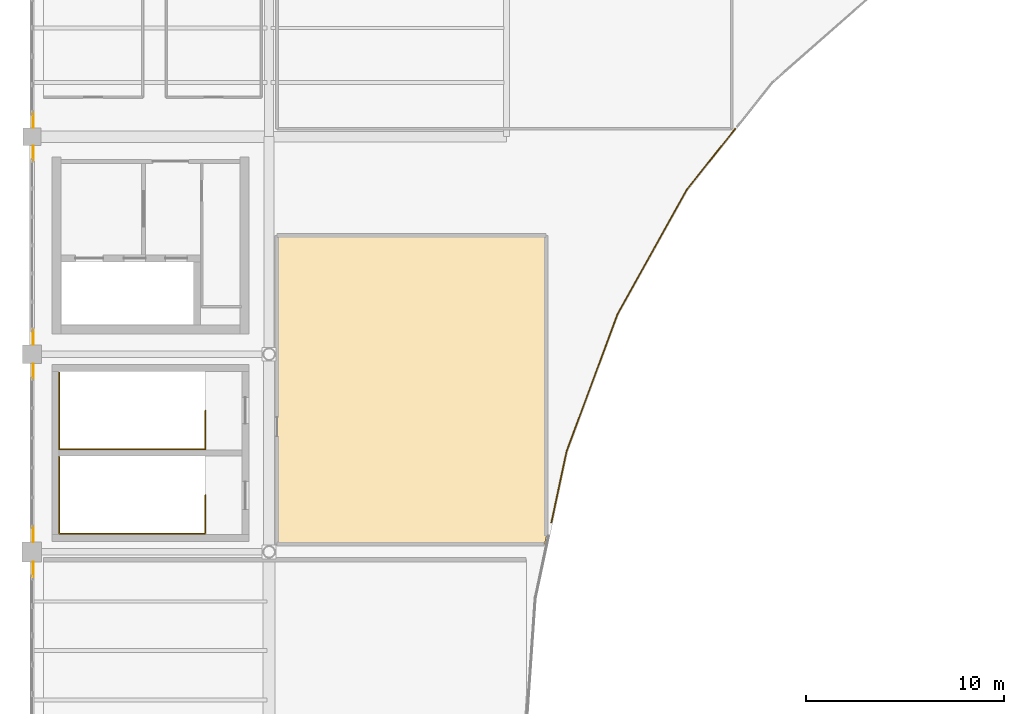
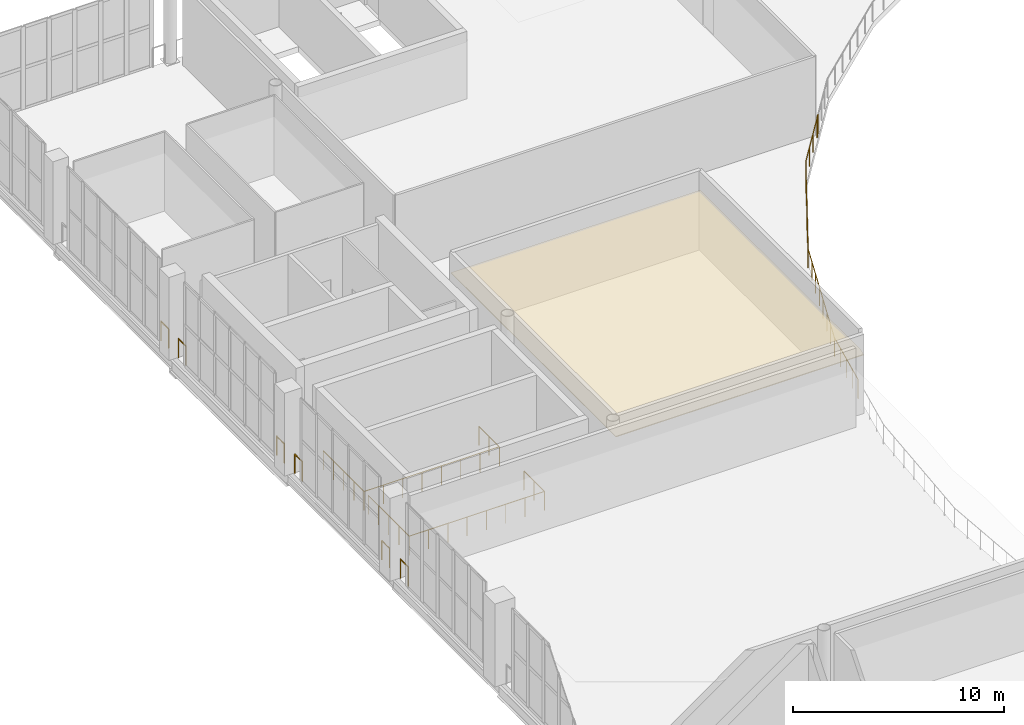
# One storey, part 46 of 49: 10 railings, 1 covering.
"""IFC4 building model written with IfcOpenShell, lengths in metres."""

from ifc_helpers import new_model, si_unit, direction, frame, origin, origin_2d, place, context, subcontext, project, spatial, polyline, circle, outline, extrude, material, layer, layer_set, type_object, element, save


model = new_model("IFC4")

# Units and contexts
model_context = context("Model", 3, precision=1e-05, world=origin(), true_north=direction((0.0, 1.0)))
body_context = subcontext(model_context, "Body", "Model", "MODEL_VIEW")
ifc_project = project(units=[si_unit("LENGTHUNIT", "METRE"), si_unit("AREAUNIT", "SQUARE_METRE"), si_unit("VOLUMEUNIT", "CUBIC_METRE"), si_unit("PLANEANGLEUNIT", "RADIAN"), si_unit("MASSUNIT", "GRAM", prefix="KILO")], contexts=[model_context])

# Site, building, storey
site_placement = place(None, origin())
site = spatial("IfcSite", under=ifc_project, at=site_placement, CompositionType="ELEMENT")
building_placement = place(site_placement, origin())
building = spatial("IfcBuilding", under=site, at=building_placement, Name="Brinegate Civic Arena", CompositionType="ELEMENT")
storey_placement = place(building_placement, frame((0.0, 0.0, 24.60009765625)))
storey = spatial("IfcBuildingStorey", under=building, at=storey_placement, Name="L05", CompositionType="ELEMENT", Elevation=24.60009765625)

# Covering
ifc_material_1 = material(Name="Acoustic perforated aluminium ceiling", Category="aluminium")
ifc_layer = layer(ifc_material_1, 0.044921875, Name="Acoustic perforated aluminium ceiling")
ifc_layer_set = layer_set([ifc_layer], Name="Acoustic perforated aluminium ceiling")
covering_type = type_object("IfcCoveringType", Name="CEILING-BAFFLE-45", PredefinedType="CEILING", material=ifc_layer_set)
covering_placement = place(storey_placement, frame((0.0, 0.0, 3.304931640625)))
element("IfcCovering", 1, at=covering_placement, inside=storey, type_object=covering_type, Name="Acoustic Ceiling L05-002", PredefinedType="CEILING", context=body_context, shape_type="SweptSolid", body=[
    extrude(outline(polyline([(60.3798828125, 88.00390625), (60.381103515625, 88.006103515625), (60.382080078125, 88.008056640625), (60.382080078125, 88.009033203125), (60.383056640625, 88.010986328125), (60.385009765625, 88.012939453125), (60.385986328125, 88.013916015625), (60.386962890625, 88.014892578125), (60.388916015625, 88.01708984375), (60.39111328125, 88.01806640625), (60.39208984375, 88.01806640625), (60.39404296875, 88.01904296875), (60.39599609375, 88.02001953125), (60.39794921875, 88.02001953125), (60.39990234375, 88.02001953125), (74.0, 88.02001953125), (74.001953125, 88.02001953125), (74.00390625, 88.02001953125), (74.006103515625, 88.01904296875), (74.008056640625, 88.01806640625), (74.009033203125, 88.01806640625), (74.010986328125, 88.01708984375), (74.012939453125, 88.014892578125), (74.013916015625, 88.013916015625), (74.014892578125, 88.012939453125), (74.01708984375, 88.010986328125), (74.01806640625, 88.009033203125), (74.01806640625, 88.008056640625), (74.01904296875, 88.006103515625), (74.02001953125, 88.00390625), (74.02001953125, 88.001953125), (74.02001953125, 88.0), (74.02001953125, 72.7958984375), (74.02001953125, 72.7939453125), (74.02001953125, 72.7919921875), (73.93603515625, 72.39599609375), (73.93505859375, 72.39404296875), (73.93408203125, 72.39208984375), (73.93408203125, 72.389892578125), (73.93310546875, 72.388916015625), (73.930908203125, 72.386962890625), (73.929931640625, 72.385986328125), (73.928955078125, 72.384033203125), (73.927001953125, 72.383056640625), (73.925048828125, 72.382080078125), (73.924072265625, 72.381103515625), (73.922119140625, 72.381103515625), (73.919921875, 72.3798828125), (73.91796875, 72.3798828125), (73.916015625, 72.3798828125), (60.39990234375, 72.3798828125), (60.39794921875, 72.3798828125), (60.39599609375, 72.3798828125), (60.39404296875, 72.381103515625), (60.39208984375, 72.382080078125), (60.39111328125, 72.382080078125), (60.388916015625, 72.383056640625), (60.386962890625, 72.385009765625), (60.385986328125, 72.385986328125), (60.385009765625, 72.386962890625), (60.383056640625, 72.388916015625), (60.382080078125, 72.39111328125), (60.382080078125, 72.39208984375), (60.381103515625, 72.39404296875), (60.3798828125, 72.39599609375), (60.3798828125, 72.39794921875), (60.3798828125, 72.39990234375), (60.3798828125, 88.0), (60.3798828125, 88.001953125), (60.3798828125, 88.00390625)])), origin(), (0.0, 0.0, 1.0), 0.044921875),
])

# Railings
ifc_material_2 = material(Name="Architectural stainless steel balustrade", Category="steel")
railing_type_1 = type_object("IfcRailingType", Name="RAIL-STAIR-GUARD-1100", PredefinedType="GUARDRAIL", material=ifc_material_2)
railing_1_placement = place(storey_placement, frame((56.780029296875, 74.864990234375, 0.0)))
element("IfcRailing", 2, at=railing_1_placement, inside=storey, type_object=railing_type_1, Name="Top Stairwell Edge Guard ST-07A L05", PredefinedType="GUARDRAIL", context=body_context, shape_type="SweptSolid", body=[
    extrude(circle(Radius=0.02392578125, at=origin_2d()), frame((0.0, -0.00146484375, 1.09619140625), z_axis=(0.0, -1.0, 0.0), x_axis=(1.0, 0.0, 0.0)), (0.0, 0.0, 1.0), 1.93701171875),
    extrude(circle(Radius=0.02392578125, at=origin_2d()), frame((-0.00146484375, -1.93994140625, 1.09619140625), z_axis=(-1.0, 0.0, 0.0), x_axis=(0.0, -1.0, 0.0)), (0.0, 0.0, 1.0), 7.397216796875),
    extrude(circle(Radius=0.02392578125, at=origin_2d()), frame((-7.400146484375, -1.9384765625, 1.09619140625), z_axis=(0.0, 1.0, 0.0), x_axis=(-1.0, 0.0, 0.0)), (0.0, 0.0, 1.0), 3.876953125),
    extrude(circle(Radius=0.02099609375, at=origin_2d()), origin(), (0.0, 0.0, 1.0), 1.070068359375),
    extrude(circle(Radius=0.02099609375, at=origin_2d()), frame((0.0, -0.969970703125, 0.0)), (0.0, 0.0, 1.0), 1.070068359375),
    extrude(circle(Radius=0.02099609375, at=origin_2d()), frame((0.0, -1.93994140625, 0.0)), (0.0, 0.0, 1.0), 1.070068359375),
    extrude(circle(Radius=0.02099609375, at=origin_2d()), frame((-1.05712890625, -1.93994140625, 0.0)), (0.0, 0.0, 1.0), 1.070068359375),
    extrude(circle(Radius=0.02099609375, at=origin_2d()), frame((-2.1142578125, -1.93994140625, 0.0)), (0.0, 0.0, 1.0), 1.070068359375),
    extrude(circle(Radius=0.02099609375, at=origin_2d()), frame((-3.17138671875, -1.93994140625, 0.0)), (0.0, 0.0, 1.0), 1.070068359375),
    extrude(circle(Radius=0.02099609375, at=origin_2d()), frame((-4.228759765625, -1.93994140625, 0.0)), (0.0, 0.0, 1.0), 1.070068359375),
    extrude(circle(Radius=0.02099609375, at=origin_2d()), frame((-5.285888671875, -1.93994140625, 0.0)), (0.0, 0.0, 1.0), 1.070068359375),
    extrude(circle(Radius=0.02099609375, at=origin_2d()), frame((-6.343017578125, -1.93994140625, 0.0)), (0.0, 0.0, 1.0), 1.070068359375),
    extrude(circle(Radius=0.02099609375, at=origin_2d()), frame((-7.400146484375, -1.93994140625, 0.0)), (0.0, 0.0, 1.0), 1.070068359375),
    extrude(circle(Radius=0.02099609375, at=origin_2d()), frame((-7.400146484375, -0.969970703125, 0.0)), (0.0, 0.0, 1.0), 1.070068359375),
    extrude(circle(Radius=0.02099609375, at=origin_2d()), frame((-7.400146484375, 0.0, 0.0)), (0.0, 0.0, 1.0), 1.070068359375),
    extrude(circle(Radius=0.02099609375, at=origin_2d()), frame((-7.400146484375, 0.969970703125, 0.0)), (0.0, 0.0, 1.0), 1.070068359375),
    extrude(circle(Radius=0.02099609375, at=origin_2d()), frame((-7.400146484375, 1.93994140625, 0.0)), (0.0, 0.0, 1.0), 1.070068359375),
])
railing_2_placement = place(storey_placement, frame((56.780029296875, 79.135009765625, 0.0)))
element("IfcRailing", 3, at=railing_2_placement, inside=storey, type_object=railing_type_1, Name="Top Stairwell Edge Guard ST-07B L05", PredefinedType="GUARDRAIL", context=body_context, shape_type="SweptSolid", body=[
    extrude(circle(Radius=0.02392578125, at=origin_2d()), frame((0.0, -0.00146484375, 1.09619140625), z_axis=(0.0, -1.0, 0.0), x_axis=(1.0, 0.0, 0.0)), (0.0, 0.0, 1.0), 1.93701171875),
    extrude(circle(Radius=0.02392578125, at=origin_2d()), frame((-0.00146484375, -1.93994140625, 1.09619140625), z_axis=(-1.0, 0.0, 0.0), x_axis=(0.0, -1.0, 0.0)), (0.0, 0.0, 1.0), 7.397216796875),
    extrude(circle(Radius=0.02392578125, at=origin_2d()), frame((-7.400146484375, -1.9384765625, 1.09619140625), z_axis=(0.0, 1.0, 0.0), x_axis=(-1.0, 0.0, 0.0)), (0.0, 0.0, 1.0), 3.876953125),
    extrude(circle(Radius=0.02099609375, at=origin_2d()), origin(), (0.0, 0.0, 1.0), 1.070068359375),
    extrude(circle(Radius=0.02099609375, at=origin_2d()), frame((0.0, -0.969970703125, 0.0)), (0.0, 0.0, 1.0), 1.070068359375),
    extrude(circle(Radius=0.02099609375, at=origin_2d()), frame((0.0, -1.93994140625, 0.0)), (0.0, 0.0, 1.0), 1.070068359375),
    extrude(circle(Radius=0.02099609375, at=origin_2d()), frame((-1.05712890625, -1.93994140625, 0.0)), (0.0, 0.0, 1.0), 1.070068359375),
    extrude(circle(Radius=0.02099609375, at=origin_2d()), frame((-2.1142578125, -1.93994140625, 0.0)), (0.0, 0.0, 1.0), 1.070068359375),
    extrude(circle(Radius=0.02099609375, at=origin_2d()), frame((-3.17138671875, -1.93994140625, 0.0)), (0.0, 0.0, 1.0), 1.070068359375),
    extrude(circle(Radius=0.02099609375, at=origin_2d()), frame((-4.228759765625, -1.93994140625, 0.0)), (0.0, 0.0, 1.0), 1.070068359375),
    extrude(circle(Radius=0.02099609375, at=origin_2d()), frame((-5.285888671875, -1.93994140625, 0.0)), (0.0, 0.0, 1.0), 1.070068359375),
    extrude(circle(Radius=0.02099609375, at=origin_2d()), frame((-6.343017578125, -1.93994140625, 0.0)), (0.0, 0.0, 1.0), 1.070068359375),
    extrude(circle(Radius=0.02099609375, at=origin_2d()), frame((-7.400146484375, -1.93994140625, 0.0)), (0.0, 0.0, 1.0), 1.070068359375),
    extrude(circle(Radius=0.02099609375, at=origin_2d()), frame((-7.400146484375, -0.969970703125, 0.0)), (0.0, 0.0, 1.0), 1.070068359375),
    extrude(circle(Radius=0.02099609375, at=origin_2d()), frame((-7.400146484375, 0.0, 0.0)), (0.0, 0.0, 1.0), 1.070068359375),
    extrude(circle(Radius=0.02099609375, at=origin_2d()), frame((-7.400146484375, 0.969970703125, 0.0)), (0.0, 0.0, 1.0), 1.070068359375),
    extrude(circle(Radius=0.02099609375, at=origin_2d()), frame((-7.400146484375, 1.93994140625, 0.0)), (0.0, 0.0, 1.0), 1.070068359375),
])
railing_type_2 = type_object("IfcRailingType", Name="RAIL-VOID-BALUSTRADE-1120", PredefinedType="BALUSTRADE", material=ifc_material_2)
for number, where, name in (
    (4, (48.070068359375, 70.742919921875, 0.0), "Deck Edge Balustrade L05-404"),
    (5, (48.070068359375, 72.52001953125, 0.0), "Deck Edge Balustrade L05-405"),
):
    element("IfcRailing", number, at=place(storey_placement, frame(where)), inside=storey, type_object=railing_type_2, Name=name, PredefinedType="BALUSTRADE", context=body_context, shape_type="SweptSolid", body=[
        extrude(circle(Radius=0.02392578125, at=origin_2d()), frame((0.0, 0.00146484375, 1.09619140625), z_axis=(0.0, 1.0, 0.0), x_axis=(-1.0, 0.0, 0.0)), (0.0, 0.0, 1.0), 0.734130859375),
        extrude(circle(Radius=0.02099609375, at=origin_2d()), origin(), (0.0, 0.0, 1.0), 1.070068359375),
        extrude(circle(Radius=0.02099609375, at=origin_2d()), frame((0.0, 0.737060546875, 0.0)), (0.0, 0.0, 1.0), 1.070068359375),
    ])
for number, where, name in (
    (6, (48.070068359375, 80.778076171875, 0.0), "Deck Edge Balustrade L05-406"),
    (7, (48.070068359375, 82.4951171875, 0.0), "Deck Edge Balustrade L05-407"),
):
    element("IfcRailing", number, at=place(storey_placement, frame(where)), inside=storey, type_object=railing_type_2, Name=name, PredefinedType="BALUSTRADE", context=body_context, shape_type="SweptSolid", body=[
        extrude(circle(Radius=0.02392578125, at=origin_2d()), frame((0.0, 0.00146484375, 1.09619140625), z_axis=(0.0, 1.0, 0.0), x_axis=(-1.0, 0.0, 0.0)), (0.0, 0.0, 1.0), 0.723876953125),
        extrude(circle(Radius=0.02099609375, at=origin_2d()), origin(), (0.0, 0.0, 1.0), 1.070068359375),
        extrude(circle(Radius=0.02099609375, at=origin_2d()), frame((0.0, 0.726806640625, 0.0)), (0.0, 0.0, 1.0), 1.070068359375),
    ])
for number, where, name in (
    (8, (48.070068359375, 91.81396484375, 0.0), "Deck Edge Balustrade L05-408"),
    (9, (48.070068359375, 93.469970703125, 0.0), "Deck Edge Balustrade L05-409"),
):
    element("IfcRailing", number, at=place(storey_placement, frame(where)), inside=storey, type_object=railing_type_2, Name=name, PredefinedType="BALUSTRADE", context=body_context, shape_type="SweptSolid", body=[
        extrude(circle(Radius=0.02392578125, at=origin_2d()), frame((0.0, 0.00146484375, 1.09619140625), z_axis=(0.0, 1.0, 0.0), x_axis=(-1.0, 0.0, 0.0)), (0.0, 0.0, 1.0), 0.713134765625),
        extrude(circle(Radius=0.02099609375, at=origin_2d()), origin(), (0.0, 0.0, 1.0), 1.070068359375),
        extrude(circle(Radius=0.02099609375, at=origin_2d()), frame((0.0, 0.716064453125, 0.0)), (0.0, 0.0, 1.0), 1.070068359375),
    ])
railing_3_placement = place(storey_placement, frame((83.577880859375, 93.39990234375, 0.0)))
element("IfcRailing", 10, at=railing_3_placement, inside=storey, type_object=railing_type_2, Name="Deck Edge Balustrade L05-429", PredefinedType="BALUSTRADE", context=body_context, shape_type="SweptSolid", body=[
    extrude(circle(Radius=0.02392578125, at=origin_2d()), frame((-0.0009765625, -0.001220703125, 1.09619140625), z_axis=(-0.622297777056, -0.782780605707, 0.0), x_axis=(0.782780605707, -0.622297777056, 0.0)), (0.0, 0.0, 1.0), 0.282958984375),
    extrude(circle(Radius=0.02099609375, at=origin_2d()), origin(), (0.0, 0.0, 1.0), 1.070068359375),
    extrude(circle(Radius=0.02099609375, at=origin_2d()), frame((-0.177978515625, -0.223876953125, 0.0)), (0.0, 0.0, 1.0), 1.070068359375),
])
railing_4_placement = place(storey_placement, frame((83.35498046875, 93.1201171875, 0.0)))
element("IfcRailing", 11, at=railing_4_placement, inside=storey, type_object=railing_type_2, Name="Deck Edge Balustrade L05-430", PredefinedType="BALUSTRADE", context=body_context, shape_type="SweptSolid", body=[
    extrude(circle(Radius=0.02392578125, at=origin_2d()), frame((-0.0009765625, -0.001220703125, 1.09619140625), z_axis=(-0.622532135045, -0.782594237671, 0.0), x_axis=(0.782594237671, -0.622532135045, 0.0)), (0.0, 0.0, 1.0), 3.566162109375),
    extrude(circle(Radius=0.02392578125, at=origin_2d()), frame((-2.22265625, -2.79443359375, 1.09619140625), z_axis=(-0.486600914244, -0.873624375952, 0.0), x_axis=(0.873624375952, -0.486600914244, 0.0)), (0.0, 0.0, 1.0), 7.2001953125),
    extrude(circle(Radius=0.02392578125, at=origin_2d()), frame((-5.7275390625, -9.087646484375, 1.09619140625), z_axis=(-0.347892602198, -0.937534392615, 0.0), x_axis=(0.937534392615, -0.347892602198, 0.0)), (0.0, 0.0, 1.0), 7.421630859375),
    extrude(circle(Radius=0.02392578125, at=origin_2d()), frame((-8.310302734375, -16.048583984375, 1.09619140625), z_axis=(-0.208556124678, -0.97801040018, 0.0), x_axis=(0.97801040018, -0.208556124678, 0.0)), (0.0, 0.0, 1.0), 3.66455078125),
    extrude(circle(Radius=0.02099609375, at=origin_2d()), origin(), (0.0, 0.0, 1.0), 1.070068359375),
    extrude(circle(Radius=0.02099609375, at=origin_2d()), frame((-0.74072265625, -0.93115234375, 0.0)), (0.0, 0.0, 1.0), 1.070068359375),
    extrude(circle(Radius=0.02099609375, at=origin_2d()), frame((-1.481201171875, -1.862060546875, 0.0)), (0.0, 0.0, 1.0), 1.070068359375),
    extrude(circle(Radius=0.02099609375, at=origin_2d()), frame((-2.221923828125, -2.793212890625, 0.0)), (0.0, 0.0, 1.0), 1.070068359375),
    extrude(circle(Radius=0.02099609375, at=origin_2d()), frame((-2.72265625, -3.692138671875, 0.0)), (0.0, 0.0, 1.0), 1.070068359375),
    extrude(circle(Radius=0.02099609375, at=origin_2d()), frame((-3.223388671875, -4.59130859375, 0.0)), (0.0, 0.0, 1.0), 1.070068359375),
    extrude(circle(Radius=0.02099609375, at=origin_2d()), frame((-3.72412109375, -5.490234375, 0.0)), (0.0, 0.0, 1.0), 1.070068359375),
    extrude(circle(Radius=0.02099609375, at=origin_2d()), frame((-4.224853515625, -6.38916015625, 0.0)), (0.0, 0.0, 1.0), 1.070068359375),
    extrude(circle(Radius=0.02099609375, at=origin_2d()), frame((-4.7255859375, -7.2880859375, 0.0)), (0.0, 0.0, 1.0), 1.070068359375),
    extrude(circle(Radius=0.02099609375, at=origin_2d()), frame((-5.226318359375, -8.187255859375, 0.0)), (0.0, 0.0, 1.0), 1.070068359375),
    extrude(circle(Radius=0.02099609375, at=origin_2d()), frame((-5.72705078125, -9.086181640625, 0.0)), (0.0, 0.0, 1.0), 1.070068359375),
    extrude(circle(Radius=0.02099609375, at=origin_2d()), frame((-6.095947265625, -10.08056640625, 0.0)), (0.0, 0.0, 1.0), 1.070068359375),
    extrude(circle(Radius=0.02099609375, at=origin_2d()), frame((-6.465087890625, -11.074951171875, 0.0)), (0.0, 0.0, 1.0), 1.070068359375),
    extrude(circle(Radius=0.02099609375, at=origin_2d()), frame((-6.833984375, -12.0693359375, 0.0)), (0.0, 0.0, 1.0), 1.070068359375),
    extrude(circle(Radius=0.02099609375, at=origin_2d()), frame((-7.203125, -13.06396484375, 0.0)), (0.0, 0.0, 1.0), 1.070068359375),
    extrude(circle(Radius=0.02099609375, at=origin_2d()), frame((-7.572021484375, -14.058349609375, 0.0)), (0.0, 0.0, 1.0), 1.070068359375),
    extrude(circle(Radius=0.02099609375, at=origin_2d()), frame((-7.941162109375, -15.052734375, 0.0)), (0.0, 0.0, 1.0), 1.070068359375),
    extrude(circle(Radius=0.02099609375, at=origin_2d()), frame((-8.31005859375, -16.047119140625, 0.0)), (0.0, 0.0, 1.0), 1.070068359375),
    extrude(circle(Radius=0.02099609375, at=origin_2d()), frame((-8.501220703125, -16.94384765625, 0.0)), (0.0, 0.0, 1.0), 1.070068359375),
    extrude(circle(Radius=0.02099609375, at=origin_2d()), frame((-8.6923828125, -17.840576171875, 0.0)), (0.0, 0.0, 1.0), 1.070068359375),
    extrude(circle(Radius=0.02099609375, at=origin_2d()), frame((-8.8837890625, -18.7373046875, 0.0)), (0.0, 0.0, 1.0), 1.070068359375),
    extrude(circle(Radius=0.02099609375, at=origin_2d()), frame((-9.074951171875, -19.634033203125, 0.0)), (0.0, 0.0, 1.0), 1.070068359375),
])

save(model, "model.ifc")
